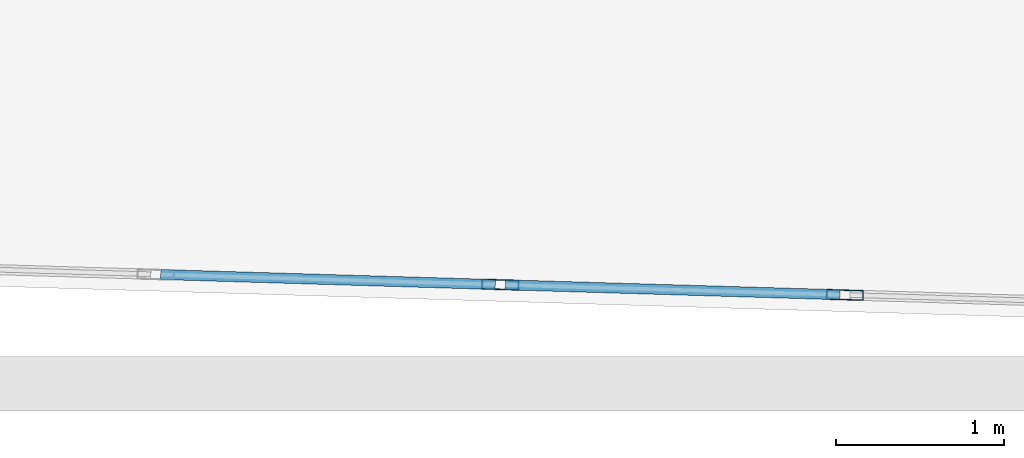
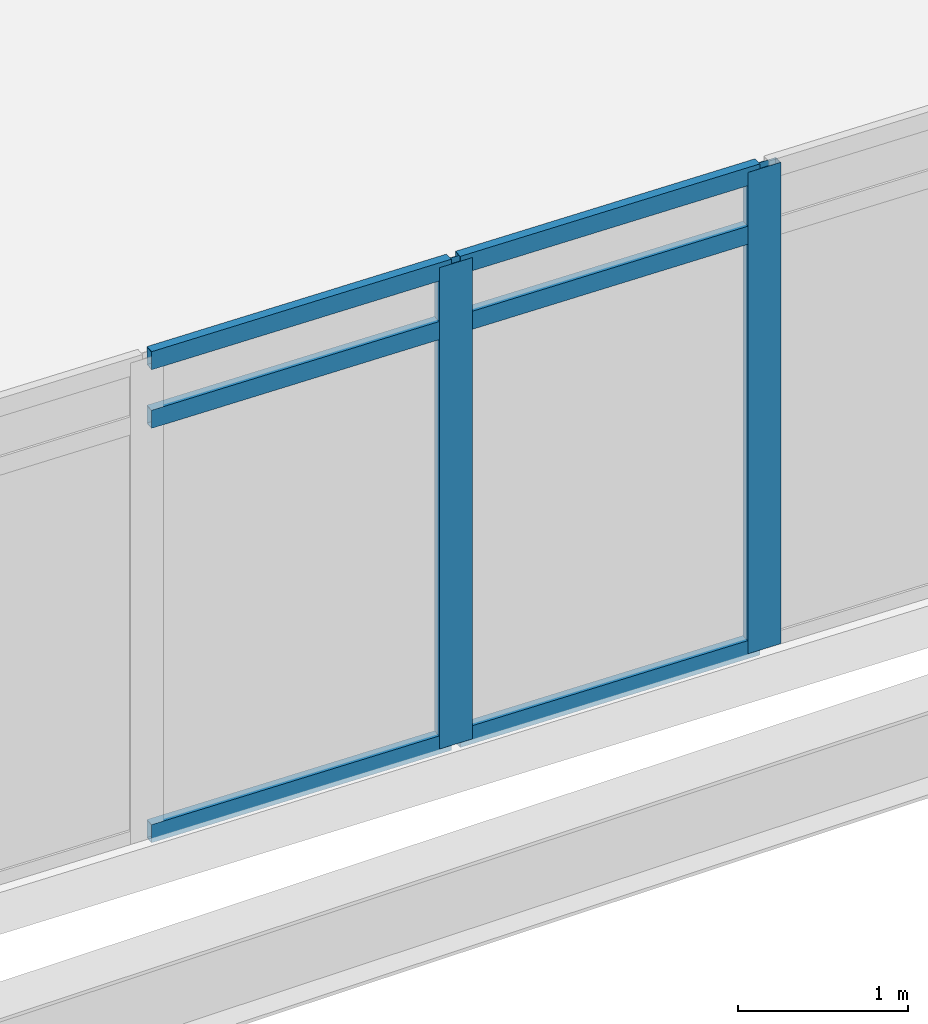
# One storey, part 3 of 28: 8 members, 1 element without a shape of its own.
"""IFC4 building model written with IfcOpenShell, lengths in metres."""

from ifc_helpers import new_model, si_unit, direction, frame, origin, origin_2d, place, context, subcontext, project, spatial, hollow_rectangle, extrude, material, material_profile, profile_set, type_object, element, aggregate, save


model = new_model("IFC4")

# Units and contexts
model_context = context("Model", 3, precision=1e-05, world=origin(), true_north=direction((0.0, 1.0)))
body_context = subcontext(model_context, "Body", "Model", "MODEL_VIEW")
ifc_project = project(units=[si_unit("LENGTHUNIT", "METRE"), si_unit("AREAUNIT", "SQUARE_METRE"), si_unit("VOLUMEUNIT", "CUBIC_METRE"), si_unit("PLANEANGLEUNIT", "RADIAN"), si_unit("MASSUNIT", "GRAM", prefix="KILO")], contexts=[model_context])

# Site, building, storey
site_placement = place(None, origin())
site = spatial("IfcSite", under=ifc_project, at=site_placement, CompositionType="ELEMENT")
building_placement = place(site_placement, origin())
building = spatial("IfcBuilding", under=site, at=building_placement, Name="Ostrander Bayou Hotel Tower", CompositionType="ELEMENT")
storey_placement = place(building_placement, frame((0.0, 0.0, 142.25)))
storey = spatial("IfcBuildingStorey", under=building, at=storey_placement, Name="L35", CompositionType="ELEMENT", Elevation=142.25)

# Curtain wall, members
ifc_material_1 = material(Name="Aluminium and clear glass", Category="aluminium")
curtain_wall_type = type_object("IfcCurtainWallType", Name="CW-BAR glazed wall", PredefinedType="NOTDEFINED", material=ifc_material_1)
curtain_wall_placement = place(storey_placement, origin())
curtain_wall = element("IfcCurtainWall", 1, at=curtain_wall_placement, inside=storey, type_object=curtain_wall_type, Name="CW-BAR L35:SB3S:T", PredefinedType="NOTDEFINED")
ifc_material_2 = material(Name="Aluminium", Category="aluminium")
ifc_material_profile_1 = material_profile(ifc_material_2, hollow_rectangle(XDim=0.06005859375, YDim=0.219970703125, WallThickness=0.00390625, at=origin_2d()))
ifc_profile_set_1 = profile_set([ifc_material_profile_1], Name="Aluminium")
member_type_1 = type_object("IfcMemberType", Name="CW-BR mullion 60 x 220 mm", PredefinedType="MULLION", material=ifc_profile_set_1)
member_1_placement = place(storey_placement, frame((-3.084716796875, -30.858154296875, 0.0), z_axis=(0.0, 0.0, 1.0), x_axis=(0.029746242041, 0.999557482631, 0.0)))
member_1 = element("IfcMember", 2, at=member_1_placement, type_object=member_type_1, Name="CW-BAR mullion 6", PredefinedType="MULLION", context=body_context, shape_type="SweptSolid", body=[
    extrude(hollow_rectangle(XDim=0.06005859375, YDim=0.219970703125, WallThickness=0.00390625, at=origin_2d()), origin(), (0.0, 0.0, 1.0), 3.449951171875),
])
member_2_placement = place(storey_placement, frame((-1.0283203125, -30.91943359375, 0.0), z_axis=(0.0, 0.0, 1.0), x_axis=(0.029746242041, 0.999557482631, 0.0)))
member_2 = element("IfcMember", 3, at=member_2_placement, type_object=member_type_1, Name="CW-BAR mullion 7", PredefinedType="MULLION", context=body_context, shape_type="SweptSolid", body=[
    extrude(hollow_rectangle(XDim=0.06005859375, YDim=0.219970703125, WallThickness=0.00390625, at=origin_2d()), origin(), (0.0, 0.0, 1.0), 3.449951171875),
])
ifc_material_3 = material(Name="Aluminium", Category="aluminium")
ifc_material_profile_2 = material_profile(ifc_material_3, hollow_rectangle(XDim=0.06005859375, YDim=0.1298828125, WallThickness=0.00390625, at=origin_2d()))
ifc_profile_set_2 = profile_set([ifc_material_profile_2], Name="Aluminium")
member_type_2 = type_object("IfcMemberType", Name="CW-BR transom 60 x 130 mm", PredefinedType="USERDEFINED", material=ifc_profile_set_2)
member_3_placement = place(storey_placement, frame((-5.111328125, -30.7978515625, 0.030029296875), z_axis=(0.999555199151, -0.029822874614, 0.0), x_axis=(0.029822874614, 0.999555199151, 0.0)))
member_3 = element("IfcMember", 4, at=member_3_placement, type_object=member_type_2, Name="CW-BAR transom 5.1", ObjectType="TRANSOM", PredefinedType="USERDEFINED", context=body_context, shape_type="SweptSolid", body=[
    extrude(hollow_rectangle(XDim=0.06005859375, YDim=0.1298828125, WallThickness=0.00390625, at=origin_2d()), origin(), (0.0, 0.0, 1.0), 1.99755859375),
])
member_4_placement = place(storey_placement, frame((-5.111328125, -30.7978515625, 3.0), z_axis=(0.999555199151, -0.029822874614, 0.0), x_axis=(0.029822874614, 0.999555199151, 0.0)))
member_4 = element("IfcMember", 5, at=member_4_placement, type_object=member_type_2, Name="CW-BAR transom 5.2", ObjectType="TRANSOM", PredefinedType="USERDEFINED", context=body_context, shape_type="SweptSolid", body=[
    extrude(hollow_rectangle(XDim=0.06005859375, YDim=0.1298828125, WallThickness=0.00390625, at=origin_2d()), origin(), (0.0, 0.0, 1.0), 1.99755859375),
])
member_5_placement = place(storey_placement, frame((-5.111328125, -30.7978515625, 3.419921875), z_axis=(0.999555199151, -0.029822874614, 0.0), x_axis=(0.029822874614, 0.999555199151, 0.0)))
member_5 = element("IfcMember", 6, at=member_5_placement, type_object=member_type_2, Name="CW-BAR transom 5.3", ObjectType="TRANSOM", PredefinedType="USERDEFINED", context=body_context, shape_type="SweptSolid", body=[
    extrude(hollow_rectangle(XDim=0.06005859375, YDim=0.1298828125, WallThickness=0.00390625, at=origin_2d()), origin(), (0.0, 0.0, 1.0), 1.99755859375),
])
member_6_placement = place(storey_placement, frame((-3.0546875, -30.859130859375, 0.030029296875), z_axis=(0.999558727342, -0.029704386785, 0.0), x_axis=(0.029704386785, 0.999558727342, 0.0)))
member_6 = element("IfcMember", 7, at=member_6_placement, type_object=member_type_2, Name="CW-BAR transom 6.1", ObjectType="TRANSOM", PredefinedType="USERDEFINED", context=body_context, shape_type="SweptSolid", body=[
    extrude(hollow_rectangle(XDim=0.06005859375, YDim=0.1298828125, WallThickness=0.00390625, at=origin_2d()), origin(), (0.0, 0.0, 1.0), 1.997314453125),
])
member_7_placement = place(storey_placement, frame((-3.0546875, -30.859130859375, 3.0), z_axis=(0.999558727342, -0.029704386785, 0.0), x_axis=(0.029704386785, 0.999558727342, 0.0)))
member_7 = element("IfcMember", 8, at=member_7_placement, type_object=member_type_2, Name="CW-BAR transom 6.2", ObjectType="TRANSOM", PredefinedType="USERDEFINED", context=body_context, shape_type="SweptSolid", body=[
    extrude(hollow_rectangle(XDim=0.06005859375, YDim=0.1298828125, WallThickness=0.00390625, at=origin_2d()), origin(), (0.0, 0.0, 1.0), 1.997314453125),
])
member_8_placement = place(storey_placement, frame((-3.0546875, -30.859130859375, 3.419921875), z_axis=(0.999558727342, -0.029704386785, 0.0), x_axis=(0.029704386785, 0.999558727342, 0.0)))
member_8 = element("IfcMember", 9, at=member_8_placement, type_object=member_type_2, Name="CW-BAR transom 6.3", ObjectType="TRANSOM", PredefinedType="USERDEFINED", context=body_context, shape_type="SweptSolid", body=[
    extrude(hollow_rectangle(XDim=0.06005859375, YDim=0.1298828125, WallThickness=0.00390625, at=origin_2d()), origin(), (0.0, 0.0, 1.0), 1.997314453125),
])
aggregate(curtain_wall, [member_1, member_2, member_3, member_4, member_5, member_6, member_7, member_8])

save(model, "model.ifc")
